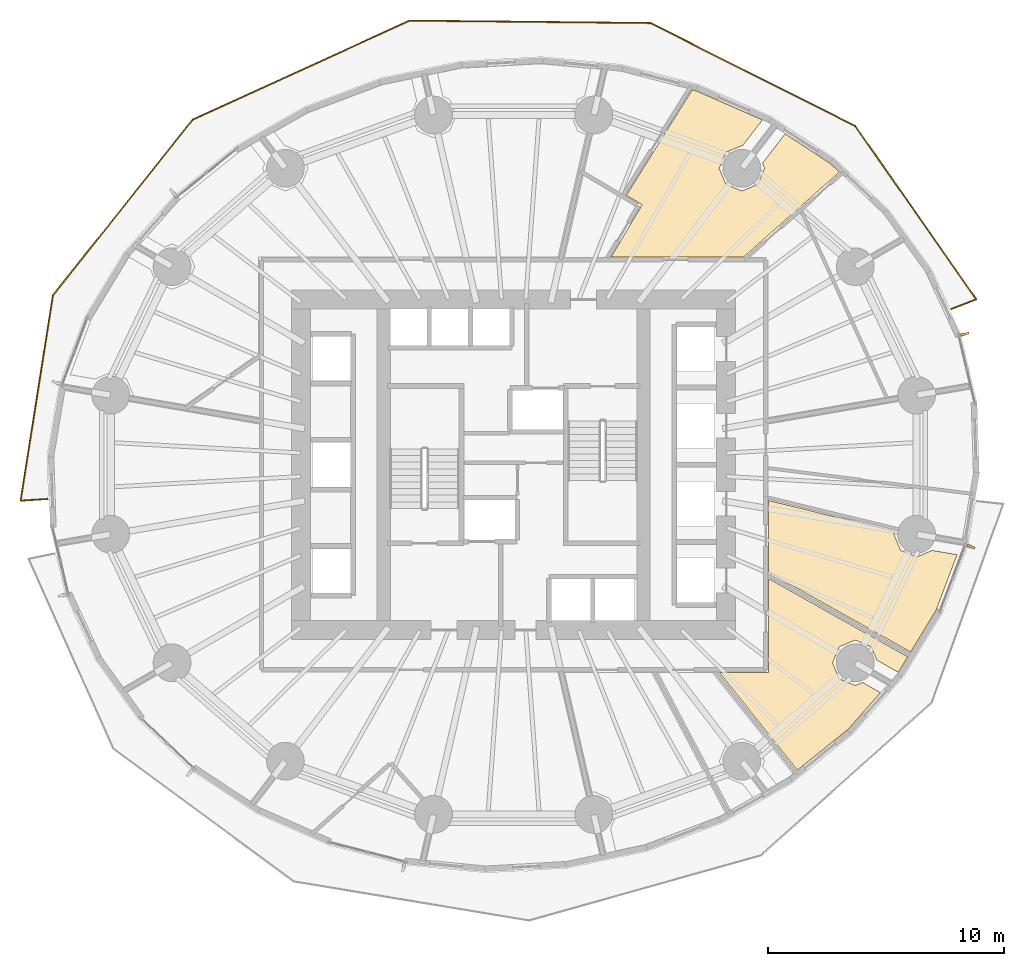
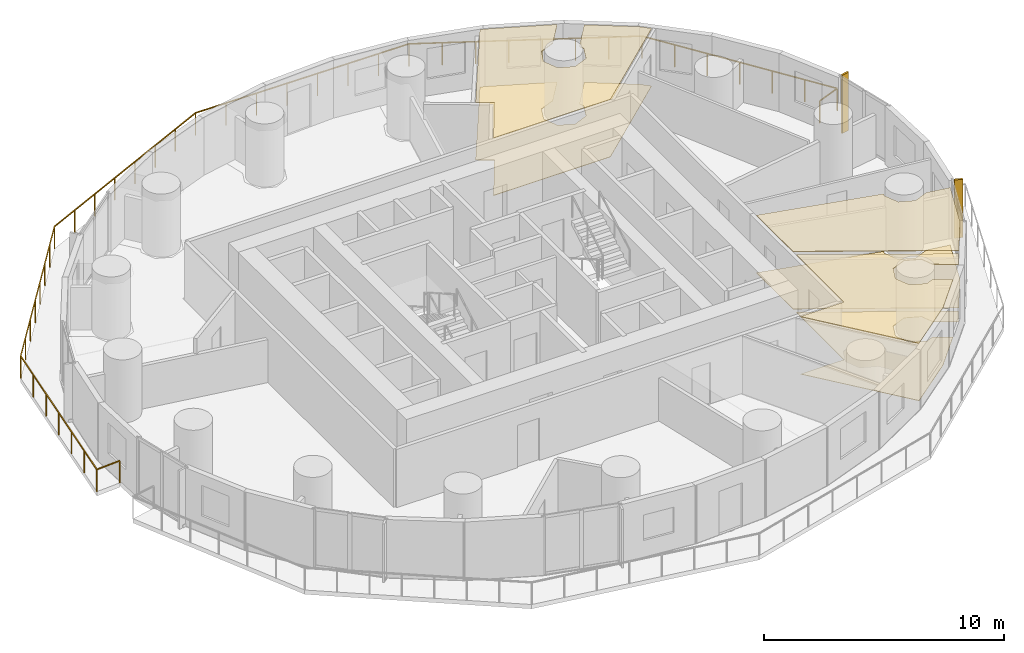
# One storey, part 14 of 14: 6 coverings, 2 shading devices, 1 railing.
"""IFC4 building model written with IfcOpenShell, lengths in metres."""

from ifc_helpers import new_model, si_unit, direction, frame, origin, origin_2d, place, context, subcontext, project, spatial, polyline, rectangle, outline, extrude, material, layer, layer_set, type_object, element, save


model = new_model("IFC4")

# Units and contexts
model_context = context("Model", 3, precision=1e-05, world=origin(), true_north=direction((0.0, 1.0)))
body_context = subcontext(model_context, "Body", "Model", "MODEL_VIEW")
ifc_project = project(units=[si_unit("LENGTHUNIT", "METRE"), si_unit("AREAUNIT", "SQUARE_METRE"), si_unit("VOLUMEUNIT", "CUBIC_METRE"), si_unit("PLANEANGLEUNIT", "RADIAN"), si_unit("MASSUNIT", "GRAM", prefix="KILO")], contexts=[model_context])

# Site, building, storey
site_placement = place(None, origin())
site = spatial("IfcSite", under=ifc_project, at=site_placement, CompositionType="ELEMENT")
building_placement = place(site_placement, origin())
building = spatial("IfcBuilding", under=site, at=building_placement, Name="Veldorim Arch Residences", CompositionType="ELEMENT")
storey_placement = place(building_placement, frame((0.0, 0.0, 34.39990234375)))
storey = spatial("IfcBuildingStorey", under=building, at=storey_placement, Name="L09", CompositionType="ELEMENT", Elevation=34.39990234375)

# Railing
ifc_material_1 = material(Name="Aluminium", Category="aluminium")
railing_type = type_object("IfcRailingType", Name="Balcony & Terrace Laminated Glass Balustrade 1150", PredefinedType="BALUSTRADE", material=ifc_material_1)
railing_placement = place(storey_placement, frame((50.525390625, 30.588134765625, 0.0)))
element("IfcRailing", 1, at=railing_placement, inside=storey, type_object=railing_type, Name="L09 crescent balcony safety balustrade A", PredefinedType="BALUSTRADE", context=body_context, shape_type="SweptSolid", body=[
    extrude(rectangle(XDim=0.048095703125, YDim=0.048095703125, at=origin_2d()), frame((0.0, 0.0, 1.1259765625), z_axis=(0.931433736777, 0.363910969874, 0.0), x_axis=(-0.363910969874, 0.931433736777, 0.0)), (0.0, 0.0, 1.0), 1.14990234375),
    extrude(rectangle(XDim=0.048095703125, YDim=0.048095703125, at=origin_2d()), frame((1.071044921875, 0.41845703125, 1.1259765625), z_axis=(-0.572673819905, 0.819783322589, 0.0), x_axis=(-0.819783322589, -0.572673819905, 0.0)), (0.0, 0.0, 1.0), 8.958984375),
    extrude(rectangle(XDim=0.048095703125, YDim=0.048095703125, at=origin_2d()), frame((-4.0595703125, 7.762939453125, 1.1259765625), z_axis=(-0.893514947869, 0.449033448569, 0.0), x_axis=(-0.449033448569, -0.893514947869, 0.0)), (0.0, 0.0, 1.0), 9.707763671875),
    extrude(rectangle(XDim=0.048095703125, YDim=0.048095703125, at=origin_2d()), frame((-12.733642578125, 12.1220703125, 1.1259765625), z_axis=(-0.999950400353, 0.009959760728, 0.0), x_axis=(-0.009959760728, -0.999950400353, 0.0)), (0.0, 0.0, 1.0), 10.197265625),
    extrude(rectangle(XDim=0.048095703125, YDim=0.048095703125, at=origin_2d()), frame((-22.930419921875, 12.2236328125, 1.1259765625), z_axis=(-0.909674311993, -0.415322339995, 0.0), x_axis=(0.415322339995, -0.909674311993, 0.0)), (0.0, 0.0, 1.0), 10.10498046875),
    extrude(rectangle(XDim=0.048095703125, YDim=0.048095703125, at=origin_2d()), frame((-32.12255859375, 8.02685546875, 1.1259765625), z_axis=(-0.622684493297, -0.782473016664, 0.0), x_axis=(0.782473016664, -0.622684493297, 0.0)), (0.0, 0.0, 1.0), 9.501953125),
    extrude(rectangle(XDim=0.048095703125, YDim=0.048095703125, at=origin_2d()), frame((-38.039306640625, 0.591796875, 1.1259765625), z_axis=(-0.155384980958, -0.98785399108, 0.0), x_axis=(0.98785399108, -0.155384980958, 0.0)), (0.0, 0.0, 1.0), 8.812744140625),
    extrude(rectangle(XDim=0.048095703125, YDim=0.048095703125, at=origin_2d()), frame((-39.40869140625, -8.114013671875, 1.1259765625), z_axis=(0.997929266712, 0.064320903598, 0.0), x_axis=(-0.064320903598, 0.997929266712, 0.0)), (0.0, 0.0, 1.0), 1.150146484375),
    extrude(rectangle(XDim=0.0419921875, YDim=0.0419921875, at=origin_2d()), origin(), (0.0, 0.0, 1.0), 1.101806640625),
    extrude(rectangle(XDim=0.0419921875, YDim=0.0419921875, at=origin_2d()), frame((1.071044921875, 0.41845703125, 0.0)), (0.0, 0.0, 1.0), 1.101806640625),
    extrude(rectangle(XDim=0.0419921875, YDim=0.0419921875, at=origin_2d()), frame((0.2158203125, 1.642578125, 0.0)), (0.0, 0.0, 1.0), 1.101806640625),
    extrude(rectangle(XDim=0.0419921875, YDim=0.0419921875, at=origin_2d()), frame((-0.63916015625, 2.86669921875, 0.0)), (0.0, 0.0, 1.0), 1.101806640625),
    extrude(rectangle(XDim=0.0419921875, YDim=0.0419921875, at=origin_2d()), frame((-1.494140625, 4.0908203125, 0.0)), (0.0, 0.0, 1.0), 1.101806640625),
    extrude(rectangle(XDim=0.0419921875, YDim=0.0419921875, at=origin_2d()), frame((-2.349365234375, 5.314697265625, 0.0)), (0.0, 0.0, 1.0), 1.101806640625),
    extrude(rectangle(XDim=0.0419921875, YDim=0.0419921875, at=origin_2d()), frame((-3.20458984375, 6.538818359375, 0.0)), (0.0, 0.0, 1.0), 1.101806640625),
    extrude(rectangle(XDim=0.0419921875, YDim=0.0419921875, at=origin_2d()), frame((-4.0595703125, 7.762939453125, 0.0)), (0.0, 0.0, 1.0), 1.101806640625),
    extrude(rectangle(XDim=0.0419921875, YDim=0.0419921875, at=origin_2d()), frame((-5.298828125, 8.3857421875, 0.0)), (0.0, 0.0, 1.0), 1.101806640625),
    extrude(rectangle(XDim=0.0419921875, YDim=0.0419921875, at=origin_2d()), frame((-6.537841796875, 9.00830078125, 0.0)), (0.0, 0.0, 1.0), 1.101806640625),
    extrude(rectangle(XDim=0.0419921875, YDim=0.0419921875, at=origin_2d()), frame((-7.777099609375, 9.631103515625, 0.0)), (0.0, 0.0, 1.0), 1.101806640625),
    extrude(rectangle(XDim=0.0419921875, YDim=0.0419921875, at=origin_2d()), frame((-9.01611328125, 10.25390625, 0.0)), (0.0, 0.0, 1.0), 1.101806640625),
    extrude(rectangle(XDim=0.0419921875, YDim=0.0419921875, at=origin_2d()), frame((-10.25537109375, 10.876708984375, 0.0)), (0.0, 0.0, 1.0), 1.101806640625),
    extrude(rectangle(XDim=0.0419921875, YDim=0.0419921875, at=origin_2d()), frame((-11.494384765625, 11.499267578125, 0.0)), (0.0, 0.0, 1.0), 1.101806640625),
    extrude(rectangle(XDim=0.0419921875, YDim=0.0419921875, at=origin_2d()), frame((-12.733642578125, 12.1220703125, 0.0)), (0.0, 0.0, 1.0), 1.101806640625),
    extrude(rectangle(XDim=0.0419921875, YDim=0.0419921875, at=origin_2d()), frame((-14.1904296875, 12.136474609375, 0.0)), (0.0, 0.0, 1.0), 1.101806640625),
    extrude(rectangle(XDim=0.0419921875, YDim=0.0419921875, at=origin_2d()), frame((-15.64697265625, 12.151123046875, 0.0)), (0.0, 0.0, 1.0), 1.101806640625),
    extrude(rectangle(XDim=0.0419921875, YDim=0.0419921875, at=origin_2d()), frame((-17.103759765625, 12.16552734375, 0.0)), (0.0, 0.0, 1.0), 1.101806640625),
    extrude(rectangle(XDim=0.0419921875, YDim=0.0419921875, at=origin_2d()), frame((-18.560302734375, 12.18017578125, 0.0)), (0.0, 0.0, 1.0), 1.101806640625),
    extrude(rectangle(XDim=0.0419921875, YDim=0.0419921875, at=origin_2d()), frame((-20.01708984375, 12.194580078125, 0.0)), (0.0, 0.0, 1.0), 1.101806640625),
    extrude(rectangle(XDim=0.0419921875, YDim=0.0419921875, at=origin_2d()), frame((-21.4736328125, 12.209228515625, 0.0)), (0.0, 0.0, 1.0), 1.101806640625),
    extrude(rectangle(XDim=0.0419921875, YDim=0.0419921875, at=origin_2d()), frame((-22.930419921875, 12.2236328125, 0.0)), (0.0, 0.0, 1.0), 1.101806640625),
    extrude(rectangle(XDim=0.0419921875, YDim=0.0419921875, at=origin_2d()), frame((-24.24365234375, 11.6240234375, 0.0)), (0.0, 0.0, 1.0), 1.101806640625),
    extrude(rectangle(XDim=0.0419921875, YDim=0.0419921875, at=origin_2d()), frame((-25.556640625, 11.024658203125, 0.0)), (0.0, 0.0, 1.0), 1.101806640625),
    extrude(rectangle(XDim=0.0419921875, YDim=0.0419921875, at=origin_2d()), frame((-26.869873046875, 10.425048828125, 0.0)), (0.0, 0.0, 1.0), 1.101806640625),
    extrude(rectangle(XDim=0.0419921875, YDim=0.0419921875, at=origin_2d()), frame((-28.18310546875, 9.825439453125, 0.0)), (0.0, 0.0, 1.0), 1.101806640625),
    extrude(rectangle(XDim=0.0419921875, YDim=0.0419921875, at=origin_2d()), frame((-29.496337890625, 9.225830078125, 0.0)), (0.0, 0.0, 1.0), 1.101806640625),
    extrude(rectangle(XDim=0.0419921875, YDim=0.0419921875, at=origin_2d()), frame((-30.809326171875, 8.62646484375, 0.0)), (0.0, 0.0, 1.0), 1.101806640625),
    extrude(rectangle(XDim=0.0419921875, YDim=0.0419921875, at=origin_2d()), frame((-32.12255859375, 8.02685546875, 0.0)), (0.0, 0.0, 1.0), 1.101806640625),
    extrude(rectangle(XDim=0.0419921875, YDim=0.0419921875, at=origin_2d()), frame((-32.9677734375, 6.964599609375, 0.0)), (0.0, 0.0, 1.0), 1.101806640625),
    extrude(rectangle(XDim=0.0419921875, YDim=0.0419921875, at=origin_2d()), frame((-33.81298828125, 5.902587890625, 0.0)), (0.0, 0.0, 1.0), 1.101806640625),
    extrude(rectangle(XDim=0.0419921875, YDim=0.0419921875, at=origin_2d()), frame((-34.658203125, 4.84033203125, 0.0)), (0.0, 0.0, 1.0), 1.101806640625),
    extrude(rectangle(XDim=0.0419921875, YDim=0.0419921875, at=origin_2d()), frame((-35.503662109375, 3.7783203125, 0.0)), (0.0, 0.0, 1.0), 1.101806640625),
    extrude(rectangle(XDim=0.0419921875, YDim=0.0419921875, at=origin_2d()), frame((-36.348876953125, 2.716064453125, 0.0)), (0.0, 0.0, 1.0), 1.101806640625),
    extrude(rectangle(XDim=0.0419921875, YDim=0.0419921875, at=origin_2d()), frame((-37.194091796875, 1.654052734375, 0.0)), (0.0, 0.0, 1.0), 1.101806640625),
    extrude(rectangle(XDim=0.0419921875, YDim=0.0419921875, at=origin_2d()), frame((-38.039306640625, 0.591796875, 0.0)), (0.0, 0.0, 1.0), 1.101806640625),
    extrude(rectangle(XDim=0.0419921875, YDim=0.0419921875, at=origin_2d()), frame((-38.267578125, -0.859130859375, 0.0)), (0.0, 0.0, 1.0), 1.101806640625),
    extrude(rectangle(XDim=0.0419921875, YDim=0.0419921875, at=origin_2d()), frame((-38.495849609375, -2.31005859375, 0.0)), (0.0, 0.0, 1.0), 1.101806640625),
    extrude(rectangle(XDim=0.0419921875, YDim=0.0419921875, at=origin_2d()), frame((-38.72412109375, -3.76123046875, 0.0)), (0.0, 0.0, 1.0), 1.101806640625),
    extrude(rectangle(XDim=0.0419921875, YDim=0.0419921875, at=origin_2d()), frame((-38.9521484375, -5.212158203125, 0.0)), (0.0, 0.0, 1.0), 1.101806640625),
    extrude(rectangle(XDim=0.0419921875, YDim=0.0419921875, at=origin_2d()), frame((-39.180419921875, -6.6630859375, 0.0)), (0.0, 0.0, 1.0), 1.101806640625),
    extrude(rectangle(XDim=0.0419921875, YDim=0.0419921875, at=origin_2d()), frame((-39.40869140625, -8.114013671875, 0.0)), (0.0, 0.0, 1.0), 1.101806640625),
    extrude(rectangle(XDim=0.0419921875, YDim=0.0419921875, at=origin_2d()), frame((-38.260986328125, -8.0400390625, 0.0)), (0.0, 0.0, 1.0), 1.101806640625),
])

# Coverings
ifc_material_2 = material(Name="Acoustic Gypsum & Mineral Fibre", Category="gypsum")
ifc_layer_1 = layer(ifc_material_2, 0.034912109375, Name="Perforated Acoustic Mineral-Fibre Ceiling 35")
ifc_layer_set_1 = layer_set([ifc_layer_1], Name="Acoustic Gypsum & Mineral Fibre")
covering_type_1 = type_object("IfcCoveringType", Name="Perforated Acoustic Mineral-Fibre Ceiling 35", PredefinedType="CEILING", material=ifc_layer_set_1)
covering_1_placement = place(storey_placement, frame((0.0, 0.0, 2.905029296875)))
element("IfcCovering", 2, at=covering_1_placement, inside=storey, type_object=covering_type_1, Name="L09 acoustic suspended ceiling 01", PredefinedType="CEILING", context=body_context, shape_type="SweptSolid", body=[
    extrude(outline(polyline([(49.065673828125, 20.09423828125), (49.73291015625, 20.37060546875), (50.779296875, 20.18994140625), (49.89501953125, 17.84521484375), (48.8154296875, 16.070556640625), (42.800048828125, 19.44873046875), (42.800048828125, 22.48291015625), (48.157470703125, 21.178955078125), (48.105712890625, 21.05419921875), (48.386962890625, 20.37548828125), (49.065673828125, 20.09423828125)])), origin(), (0.0, 0.0, 1.0), 0.03515625),
])
covering_2_placement = place(storey_placement, frame((0.0, 0.0, 2.905029296875)))
element("IfcCovering", 3, at=covering_2_placement, inside=storey, type_object=covering_type_1, Name="L09 acoustic suspended ceiling 02", PredefinedType="CEILING", context=body_context, shape_type="SweptSolid", body=[
    extrude(outline(polyline([(47.146240234375, 16.28955078125), (46.467529296875, 16.57080078125), (45.788818359375, 16.28955078125), (45.5078125, 15.61083984375), (45.788818359375, 14.93212890625), (46.467529296875, 14.65087890625), (46.781982421875, 14.78125), (47.53369140625, 14.345458984375), (46.169921875, 12.801513671875), (44.016357421875, 11.06591796875), (40.71533203125, 15.199951171875), (42.800048828125, 15.199951171875), (42.800048828125, 19.173583984375), (48.690673828125, 15.865478515625), (48.28759765625, 15.202880859375), (47.3779296875, 15.730224609375), (47.146240234375, 16.28955078125)])), origin(), (0.0, 0.0, 1.0), 0.03515625),
])
covering_3_placement = place(storey_placement, frame((0.0, 0.0, 2.905029296875)))
element("IfcCovering", 4, at=covering_3_placement, inside=storey, type_object=covering_type_1, Name="L09 acoustic suspended ceiling 05", PredefinedType="CEILING", context=body_context, shape_type="SweptSolid", body=[
    extrude(outline(polyline([(41.6669921875, 37.51513671875), (40.98828125, 37.23388671875), (40.70703125, 36.55517578125), (40.98828125, 35.87646484375), (41.6669921875, 35.59521484375), (42.345703125, 35.87646484375), (42.626708984375, 36.55517578125), (42.5380859375, 36.76904296875), (43.49951171875, 38.017578125), (45.418701171875, 36.751220703125), (45.79541015625, 36.392822265625), (41.743408203125, 32.800048828125), (36.12841796875, 32.800048828125), (37.44287109375, 35.01220703125), (36.773193359375, 35.409912109375), (39.55908203125, 39.876220703125), (39.768798828125, 39.822021484375), (42.53759765625, 38.60400390625), (41.69140625, 37.5048828125), (41.6669921875, 37.51513671875)])), origin(), (0.0, 0.0, 1.0), 0.03515625),
])
ifc_material_3 = material(Name="Porcelain Ceramic Tile", Category="ceramic")
ifc_layer_2 = layer(ifc_material_3, 0.02001953125, Name="Slip-Resistant Porcelain & Vinyl Floor Finish 20")
ifc_layer_set_2 = layer_set([ifc_layer_2], Name="Porcelain Ceramic Tile")
covering_type_2 = type_object("IfcCoveringType", Name="Slip-Resistant Porcelain & Vinyl Floor Finish 20", PredefinedType="FLOORING", material=ifc_layer_set_2)
covering_4_placement = place(storey_placement, origin())
element("IfcCovering", 5, at=covering_4_placement, inside=storey, type_object=covering_type_2, Name="L09 porcelain floor finish 01", PredefinedType="FLOORING", context=body_context, shape_type="SweptSolid", body=[
    extrude(outline(polyline([(49.065673828125, 20.09423828125), (49.73291015625, 20.37060546875), (50.779296875, 20.18994140625), (49.89501953125, 17.84521484375), (48.8154296875, 16.070556640625), (42.800048828125, 19.44873046875), (42.800048828125, 22.48291015625), (48.157470703125, 21.178955078125), (48.105712890625, 21.05419921875), (48.386962890625, 20.37548828125), (49.065673828125, 20.09423828125)])), origin(), (0.0, 0.0, 1.0), 0.02001953125),
])
covering_5_placement = place(storey_placement, origin())
element("IfcCovering", 6, at=covering_5_placement, inside=storey, type_object=covering_type_2, Name="L09 porcelain floor finish 02", PredefinedType="FLOORING", context=body_context, shape_type="SweptSolid", body=[
    extrude(outline(polyline([(47.146240234375, 16.28955078125), (46.467529296875, 16.57080078125), (45.788818359375, 16.28955078125), (45.5078125, 15.61083984375), (45.788818359375, 14.93212890625), (46.467529296875, 14.65087890625), (46.781982421875, 14.78125), (47.53369140625, 14.345458984375), (46.169921875, 12.801513671875), (44.016357421875, 11.06591796875), (40.71533203125, 15.199951171875), (42.800048828125, 15.199951171875), (42.800048828125, 19.173583984375), (48.690673828125, 15.865478515625), (48.28759765625, 15.202880859375), (47.3779296875, 15.730224609375), (47.146240234375, 16.28955078125)])), origin(), (0.0, 0.0, 1.0), 0.02001953125),
])
covering_6_placement = place(storey_placement, origin())
element("IfcCovering", 7, at=covering_6_placement, inside=storey, type_object=covering_type_2, Name="L09 porcelain floor finish 05", PredefinedType="FLOORING", context=body_context, shape_type="SweptSolid", body=[
    extrude(outline(polyline([(41.6669921875, 37.51513671875), (40.98828125, 37.23388671875), (40.70703125, 36.55517578125), (40.98828125, 35.87646484375), (41.6669921875, 35.59521484375), (42.345703125, 35.87646484375), (42.626708984375, 36.55517578125), (42.5380859375, 36.76904296875), (43.49951171875, 38.017578125), (45.418701171875, 36.751220703125), (45.79541015625, 36.392822265625), (41.743408203125, 32.800048828125), (36.12841796875, 32.800048828125), (37.44287109375, 35.01220703125), (36.773193359375, 35.409912109375), (39.55908203125, 39.876220703125), (39.768798828125, 39.822021484375), (42.53759765625, 38.60400390625), (41.69140625, 37.5048828125), (41.6669921875, 37.51513671875)])), origin(), (0.0, 0.0, 1.0), 0.02001953125),
])

# Shading devices
ifc_material_4 = material(Name="Terracotta Ceramic", Category="masonry")
ifc_layer_3 = layer(ifc_material_4, 0.090087890625, Name="Vertical Extruded Terracotta Baguette Sun-Shading Fin")
ifc_layer_set_3 = layer_set([ifc_layer_3], Name="Terracotta Ceramic")
shading_device_type = type_object("IfcShadingDeviceType", Name="Vertical Extruded Terracotta Baguette Sun-Shading Fin", PredefinedType="USERDEFINED", material=ifc_layer_set_3)
for number, where, z_axis, x_axis, name in (
    (8, (51.112060546875, 29.5341796875, 0.0), (0.0, 0.0, 1.0), (0.230219585439, -0.973138706701, 0.0), "L09 vertical terracotta sun-shading fin 01"),
    (9, (51.367919921875, 20.525146484375, 0.0), (0.0, 0.0, 1.0), (-0.352984997999, -0.935628981588, 0.0), "L09 vertical terracotta sun-shading fin 34"),
):
    element("IfcShadingDevice", number, at=place(storey_placement, frame(where, z_axis=z_axis, x_axis=x_axis)), inside=storey, type_object=shading_device_type, Name=name, ObjectType="FIN", PredefinedType="USERDEFINED", context=body_context, shape_type="SweptSolid", body=[
        extrude(rectangle(XDim=0.090087890625, YDim=0.360107421875, at=origin_2d()), origin(), (0.0, 0.0, 1.0), 2.9599609375),
    ])

save(model, "model.ifc")
